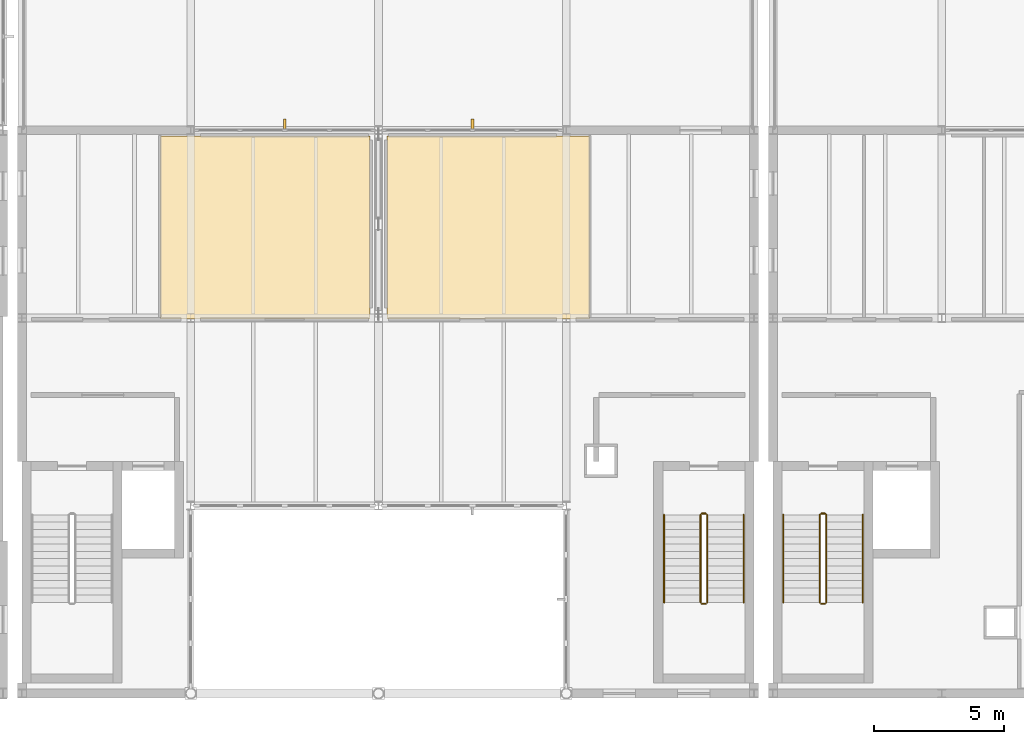
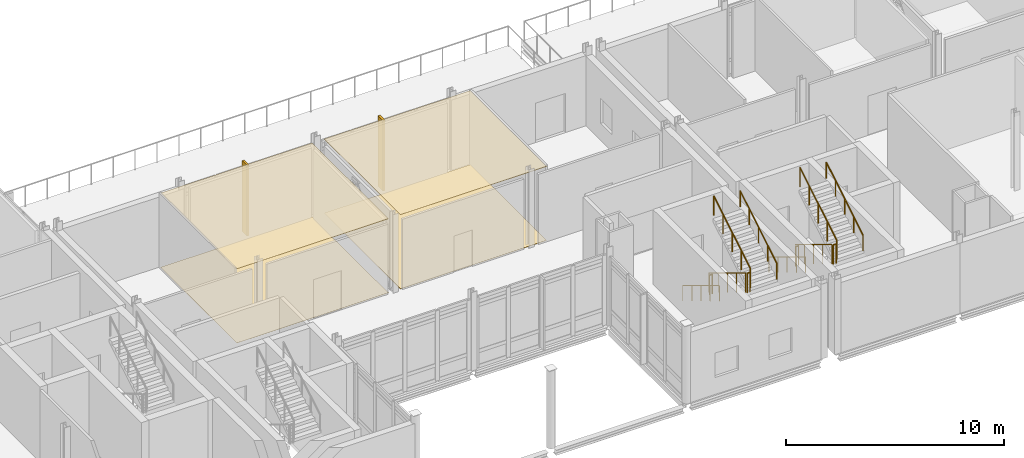
# One storey, part 47 of 53: 12 railings, 4 coverings, 2 shading devices.
"""IFC4 building model written with IfcOpenShell, lengths in metres."""

from ifc_helpers import new_model, si_unit, direction, frame, origin, origin_2d, place, context, subcontext, project, spatial, polyline, rectangle, circle, outline, extrude, material, layer, layer_set, type_object, element, save


model = new_model("IFC4")

# Units and contexts
model_context = context("Model", 3, precision=1e-05, world=origin(), true_north=direction((0.0, 1.0)))
body_context = subcontext(model_context, "Body", "Model", "MODEL_VIEW")
ifc_project = project(units=[si_unit("LENGTHUNIT", "METRE"), si_unit("AREAUNIT", "SQUARE_METRE"), si_unit("VOLUMEUNIT", "CUBIC_METRE"), si_unit("PLANEANGLEUNIT", "RADIAN"), si_unit("MASSUNIT", "GRAM", prefix="KILO")], contexts=[model_context])

# Site, building, storey
site_placement = place(None, origin())
site = spatial("IfcSite", under=ifc_project, at=site_placement, CompositionType="ELEMENT")
building_placement = place(site_placement, origin())
building = spatial("IfcBuilding", under=site, at=building_placement, Name="Zarrinpeak Specialist Clinic", CompositionType="ELEMENT")
storey_placement = place(building_placement, frame((0.0, 0.0, 14.0)))
storey = spatial("IfcBuildingStorey", under=building, at=storey_placement, Name="L03", CompositionType="ELEMENT", Elevation=14.0)

# Coverings
ifc_material_1 = material(Name="Hygienic Acoustic Mineral Fibre Tile")
ifc_layer_1 = layer(ifc_material_1, 0.02490234375)
ifc_layer_set_1 = layer_set([ifc_layer_1], Name="Hygienic Acoustic Mineral Fibre Tile")
covering_type_1 = type_object("IfcCoveringType", Name="CV-CEIL-AC", PredefinedType="CEILING", material=ifc_layer_set_1)
covering_1_placement = place(storey_placement, frame((0.0, 0.0, 4.14501953125)))
element("IfcCovering", 1, at=covering_1_placement, inside=storey, type_object=covering_type_1, Name="L03 Paediatric Growth Clinic Hygienic Acoustic Ceiling", PredefinedType="CEILING", context=body_context, shape_type="SweptSolid", body=[
    extrude(outline(polyline([(43.52001953125, 14.3701171875), (51.280029296875, 14.3701171875), (51.280029296875, 21.3798828125), (43.52001953125, 21.3798828125), (43.52001953125, 14.3701171875)])), origin(), (0.0, 0.0, 1.0), 0.02490234375),
])
covering_2_placement = place(storey_placement, frame((0.0, 0.0, 4.14501953125)))
element("IfcCovering", 2, at=covering_2_placement, inside=storey, type_object=covering_type_1, Name="L03 Paediatric Vaccination Room Hygienic Acoustic Ceiling", PredefinedType="CEILING", context=body_context, shape_type="SweptSolid", body=[
    extrude(outline(polyline([(34.840087890625, 14.3701171875), (42.8798828125, 14.3701171875), (42.8798828125, 21.3798828125), (34.840087890625, 21.3798828125), (34.840087890625, 14.3701171875)])), origin(), (0.0, 0.0, 1.0), 0.02490234375),
])
ifc_material_2 = material(Name="Homogeneous Antimicrobial Clinical Vinyl")
ifc_layer_2 = layer(ifc_material_2, 0.008056640625)
ifc_layer_set_2 = layer_set([ifc_layer_2], Name="Homogeneous Antimicrobial Clinical Vinyl")
covering_type_2 = type_object("IfcCoveringType", Name="CV-FLR-VN", PredefinedType="FLOORING", material=ifc_layer_set_2)
covering_3_placement = place(storey_placement, frame((0.0, 0.0, 0.0009765625)))
element("IfcCovering", 3, at=covering_3_placement, inside=storey, type_object=covering_type_2, Name="L03 Paediatric Growth Clinic Antimicrobial Vinyl Flooring", PredefinedType="FLOORING", context=body_context, shape_type="SweptSolid", body=[
    extrude(outline(polyline([(43.52001953125, 14.3701171875), (51.280029296875, 14.3701171875), (51.280029296875, 21.3798828125), (43.52001953125, 21.3798828125), (43.52001953125, 14.3701171875)])), origin(), (0.0, 0.0, 1.0), 0.008056640625),
])
covering_4_placement = place(storey_placement, frame((0.0, 0.0, 0.0009765625)))
element("IfcCovering", 4, at=covering_4_placement, inside=storey, type_object=covering_type_2, Name="L03 Paediatric Vaccination Room Antimicrobial Vinyl Flooring", PredefinedType="FLOORING", context=body_context, shape_type="SweptSolid", body=[
    extrude(outline(polyline([(34.840087890625, 14.3701171875), (42.8798828125, 14.3701171875), (42.8798828125, 21.3798828125), (34.840087890625, 21.3798828125), (34.840087890625, 14.3701171875)])), origin(), (0.0, 0.0, 1.0), 0.008056640625),
])

# Railings
ifc_material_3 = material(Name="Laminated Safety Glass and Stainless Steel 316", Category="steel")
ifc_layer_3 = layer(ifc_material_3, 0.06005859375)
ifc_layer_set_3 = layer_set([ifc_layer_3], Name="Laminated Safety Glass and Stainless Steel 316")
railing_type_1 = type_object("IfcRailingType", Name="RL-GRD115", PredefinedType="GUARDRAIL", material=ifc_layer_set_3)
railing_1_placement = place(storey_placement, frame((55.550048828125, 6.85009765625, 0.169189453125)))
element("IfcRailing", 5, at=railing_1_placement, inside=storey, type_object=railing_type_1, Name="L03 ST-04 stair guard 1", PredefinedType="GUARDRAIL", context=body_context, shape_type="SweptSolid", body=[
    extrude(circle(Radius=0.02392578125, at=origin_2d()), frame((0.0, 0.0, 1.076171875), z_axis=(0.0, -0.855836976705, 0.517245656632), x_axis=(1.0, 0.0, 0.0)), (0.0, 0.0, 1.0), 3.926025390625),
    extrude(circle(Radius=0.02099609375, at=origin_2d()), origin(), (0.0, 0.0, 1.0), 1.052001953125),
    extrude(circle(Radius=0.02099609375, at=origin_2d()), frame((0.0, -0.840087890625, 0.5078125)), (0.0, 0.0, 1.0), 1.052001953125),
    extrude(circle(Radius=0.02099609375, at=origin_2d()), frame((0.0, -1.68017578125, 1.015380859375)), (0.0, 0.0, 1.0), 1.052001953125),
    extrude(circle(Radius=0.02099609375, at=origin_2d()), frame((0.0, -2.52001953125, 1.52294921875)), (0.0, 0.0, 1.0), 1.052001953125),
    extrude(circle(Radius=0.02099609375, at=origin_2d()), frame((0.0, -3.360107421875, 2.03076171875)), (0.0, 0.0, 1.0), 1.052001953125),
])
railing_2_placement = place(storey_placement, frame((55.60009765625, 3.43994140625, 2.199951171875)))
element("IfcRailing", 6, at=railing_2_placement, inside=storey, type_object=railing_type_1, Name="L03 ST-04 stair guard 2", PredefinedType="GUARDRAIL", context=body_context, shape_type="SweptSolid", body=[
    extrude(circle(Radius=0.02392578125, at=origin_2d()), frame((0.0, 0.0, 1.076171875), z_axis=(1.0, 0.0, 0.0), x_axis=(0.0, 1.0, 0.0)), (0.0, 0.0, 1.0), 0.14990234375),
    extrude(circle(Radius=0.02099609375, at=origin_2d()), origin(), (0.0, 0.0, 1.0), 1.052001953125),
    extrude(circle(Radius=0.02099609375, at=origin_2d()), frame((0.14990234375, 0.0, 0.0)), (0.0, 0.0, 1.0), 1.052001953125),
])
railing_3_placement = place(storey_placement, frame((55.800048828125, 3.489990234375, 2.369140625)))
element("IfcRailing", 7, at=railing_3_placement, inside=storey, type_object=railing_type_1, Name="L03 ST-04 stair guard 3", PredefinedType="GUARDRAIL", context=body_context, shape_type="SweptSolid", body=[
    extrude(circle(Radius=0.02392578125, at=origin_2d()), frame((0.0, 0.0, 1.076171875), z_axis=(0.0, 0.855836976705, 0.517245656632), x_axis=(-1.0, 0.0, 0.0)), (0.0, 0.0, 1.0), 3.926025390625),
    extrude(circle(Radius=0.02099609375, at=origin_2d()), origin(), (0.0, 0.0, 1.0), 1.052001953125),
    extrude(circle(Radius=0.02099609375, at=origin_2d()), frame((0.0, 0.840087890625, 0.5078125)), (0.0, 0.0, 1.0), 1.052001953125),
    extrude(circle(Radius=0.02099609375, at=origin_2d()), frame((0.0, 1.68017578125, 1.015380859375)), (0.0, 0.0, 1.0), 1.052001953125),
    extrude(circle(Radius=0.02099609375, at=origin_2d()), frame((0.0, 2.52001953125, 1.52294921875)), (0.0, 0.0, 1.0), 1.052001953125),
    extrude(circle(Radius=0.02099609375, at=origin_2d()), frame((0.0, 3.360107421875, 2.03076171875)), (0.0, 0.0, 1.0), 1.052001953125),
])
railing_4_placement = place(storey_placement, frame((55.60009765625, 6.89990234375, 0.0)))
element("IfcRailing", 8, at=railing_4_placement, inside=storey, type_object=railing_type_1, Name="L03 ST-04 stair guard 4", PredefinedType="GUARDRAIL", context=body_context, shape_type="SweptSolid", body=[
    extrude(circle(Radius=0.02392578125, at=origin_2d()), frame((0.0, 0.0, 1.076171875), z_axis=(1.0, 0.0, 0.0), x_axis=(0.0, 1.0, 0.0)), (0.0, 0.0, 1.0), 0.14990234375),
    extrude(circle(Radius=0.02099609375, at=origin_2d()), origin(), (0.0, 0.0, 1.0), 1.052001953125),
    extrude(circle(Radius=0.02099609375, at=origin_2d()), frame((0.14990234375, 0.0, 0.0)), (0.0, 0.0, 1.0), 1.052001953125),
])
railing_5_placement = place(storey_placement, frame((60.1201171875, 6.85009765625, 0.169189453125)))
element("IfcRailing", 9, at=railing_5_placement, inside=storey, type_object=railing_type_1, Name="L03 ST-07 stair guard 1", PredefinedType="GUARDRAIL", context=body_context, shape_type="SweptSolid", body=[
    extrude(circle(Radius=0.02392578125, at=origin_2d()), frame((0.0, 0.0, 1.076171875), z_axis=(0.0, -0.855836976705, 0.517245656632), x_axis=(1.0, 0.0, 0.0)), (0.0, 0.0, 1.0), 3.926025390625),
    extrude(circle(Radius=0.02099609375, at=origin_2d()), origin(), (0.0, 0.0, 1.0), 1.052001953125),
    extrude(circle(Radius=0.02099609375, at=origin_2d()), frame((0.0, -0.840087890625, 0.5078125)), (0.0, 0.0, 1.0), 1.052001953125),
    extrude(circle(Radius=0.02099609375, at=origin_2d()), frame((0.0, -1.68017578125, 1.015380859375)), (0.0, 0.0, 1.0), 1.052001953125),
    extrude(circle(Radius=0.02099609375, at=origin_2d()), frame((0.0, -2.52001953125, 1.52294921875)), (0.0, 0.0, 1.0), 1.052001953125),
    extrude(circle(Radius=0.02099609375, at=origin_2d()), frame((0.0, -3.360107421875, 2.03076171875)), (0.0, 0.0, 1.0), 1.052001953125),
])
railing_6_placement = place(storey_placement, frame((60.169921875, 3.43994140625, 2.199951171875)))
element("IfcRailing", 10, at=railing_6_placement, inside=storey, type_object=railing_type_1, Name="L03 ST-07 stair guard 2", PredefinedType="GUARDRAIL", context=body_context, shape_type="SweptSolid", body=[
    extrude(circle(Radius=0.02392578125, at=origin_2d()), frame((0.0, 0.0, 1.076171875), z_axis=(1.0, 0.0, 0.0), x_axis=(0.0, 1.0, 0.0)), (0.0, 0.0, 1.0), 0.150146484375),
    extrude(circle(Radius=0.02099609375, at=origin_2d()), origin(), (0.0, 0.0, 1.0), 1.052001953125),
    extrude(circle(Radius=0.02099609375, at=origin_2d()), frame((0.150146484375, 0.0, 0.0)), (0.0, 0.0, 1.0), 1.052001953125),
])
railing_7_placement = place(storey_placement, frame((60.3701171875, 3.489990234375, 2.369140625)))
element("IfcRailing", 11, at=railing_7_placement, inside=storey, type_object=railing_type_1, Name="L03 ST-07 stair guard 3", PredefinedType="GUARDRAIL", context=body_context, shape_type="SweptSolid", body=[
    extrude(circle(Radius=0.02392578125, at=origin_2d()), frame((0.0, 0.0, 1.076171875), z_axis=(0.0, 0.855836976705, 0.517245656632), x_axis=(-1.0, 0.0, 0.0)), (0.0, 0.0, 1.0), 3.926025390625),
    extrude(circle(Radius=0.02099609375, at=origin_2d()), origin(), (0.0, 0.0, 1.0), 1.052001953125),
    extrude(circle(Radius=0.02099609375, at=origin_2d()), frame((0.0, 0.840087890625, 0.5078125)), (0.0, 0.0, 1.0), 1.052001953125),
    extrude(circle(Radius=0.02099609375, at=origin_2d()), frame((0.0, 1.68017578125, 1.015380859375)), (0.0, 0.0, 1.0), 1.052001953125),
    extrude(circle(Radius=0.02099609375, at=origin_2d()), frame((0.0, 2.52001953125, 1.52294921875)), (0.0, 0.0, 1.0), 1.052001953125),
    extrude(circle(Radius=0.02099609375, at=origin_2d()), frame((0.0, 3.360107421875, 2.03076171875)), (0.0, 0.0, 1.0), 1.052001953125),
])
railing_8_placement = place(storey_placement, frame((60.169921875, 6.89990234375, 0.0)))
element("IfcRailing", 12, at=railing_8_placement, inside=storey, type_object=railing_type_1, Name="L03 ST-07 stair guard 4", PredefinedType="GUARDRAIL", context=body_context, shape_type="SweptSolid", body=[
    extrude(circle(Radius=0.02392578125, at=origin_2d()), frame((0.0, 0.0, 1.076171875), z_axis=(1.0, 0.0, 0.0), x_axis=(0.0, 1.0, 0.0)), (0.0, 0.0, 1.0), 0.150146484375),
    extrude(circle(Radius=0.02099609375, at=origin_2d()), origin(), (0.0, 0.0, 1.0), 1.052001953125),
    extrude(circle(Radius=0.02099609375, at=origin_2d()), frame((0.150146484375, 0.0, 0.0)), (0.0, 0.0, 1.0), 1.052001953125),
])
ifc_material_4 = material(Name="Brushed Stainless Steel 316 Handrail", Category="steel")
ifc_layer_4 = layer(ifc_material_4, 0.050048828125)
ifc_layer_set_4 = layer_set([ifc_layer_4], Name="Brushed Stainless Steel 316 Handrail")
railing_type_2 = type_object("IfcRailingType", Name="RL-HND92", PredefinedType="HANDRAIL", material=ifc_layer_set_4)
railing_9_placement = place(storey_placement, frame((54.14990234375, 6.85009765625, 0.169189453125)))
element("IfcRailing", 13, at=railing_9_placement, inside=storey, type_object=railing_type_2, Name="L03 ST-04 stair handrail 1", PredefinedType="HANDRAIL", context=body_context, shape_type="SweptSolid", body=[
    extrude(circle(Radius=0.02392578125, at=origin_2d()), frame((0.0, 0.0, 0.8759765625), z_axis=(0.0, -0.855836976705, 0.517245656632), x_axis=(1.0, 0.0, 0.0)), (0.0, 0.0, 1.0), 3.926025390625),
    extrude(circle(Radius=0.02099609375, at=origin_2d()), origin(), (0.0, 0.0, 1.0), 0.851806640625),
    extrude(circle(Radius=0.02099609375, at=origin_2d()), frame((0.0, -0.840087890625, 0.5078125)), (0.0, 0.0, 1.0), 0.851806640625),
    extrude(circle(Radius=0.02099609375, at=origin_2d()), frame((0.0, -1.68017578125, 1.015380859375)), (0.0, 0.0, 1.0), 0.851806640625),
    extrude(circle(Radius=0.02099609375, at=origin_2d()), frame((0.0, -2.52001953125, 1.52294921875)), (0.0, 0.0, 1.0), 0.851806640625),
    extrude(circle(Radius=0.02099609375, at=origin_2d()), frame((0.0, -3.360107421875, 2.03076171875)), (0.0, 0.0, 1.0), 0.851806640625),
])
railing_10_placement = place(storey_placement, frame((57.199951171875, 3.489990234375, 2.369140625)))
element("IfcRailing", 14, at=railing_10_placement, inside=storey, type_object=railing_type_2, Name="L03 ST-04 stair handrail 2", PredefinedType="HANDRAIL", context=body_context, shape_type="SweptSolid", body=[
    extrude(circle(Radius=0.02392578125, at=origin_2d()), frame((0.0, 0.0, 0.8759765625), z_axis=(0.0, 0.855836976705, 0.517245656632), x_axis=(-1.0, 0.0, 0.0)), (0.0, 0.0, 1.0), 3.926025390625),
    extrude(circle(Radius=0.02099609375, at=origin_2d()), origin(), (0.0, 0.0, 1.0), 0.851806640625),
    extrude(circle(Radius=0.02099609375, at=origin_2d()), frame((0.0, 0.840087890625, 0.5078125)), (0.0, 0.0, 1.0), 0.851806640625),
    extrude(circle(Radius=0.02099609375, at=origin_2d()), frame((0.0, 1.68017578125, 1.015380859375)), (0.0, 0.0, 1.0), 0.851806640625),
    extrude(circle(Radius=0.02099609375, at=origin_2d()), frame((0.0, 2.52001953125, 1.52294921875)), (0.0, 0.0, 1.0), 0.851806640625),
    extrude(circle(Radius=0.02099609375, at=origin_2d()), frame((0.0, 3.360107421875, 2.03076171875)), (0.0, 0.0, 1.0), 0.851806640625),
])
railing_11_placement = place(storey_placement, frame((58.719970703125, 6.85009765625, 0.169189453125)))
element("IfcRailing", 15, at=railing_11_placement, inside=storey, type_object=railing_type_2, Name="L03 ST-07 stair handrail 1", PredefinedType="HANDRAIL", context=body_context, shape_type="SweptSolid", body=[
    extrude(circle(Radius=0.02392578125, at=origin_2d()), frame((0.0, 0.0, 0.8759765625), z_axis=(0.0, -0.855836976705, 0.517245656632), x_axis=(1.0, 0.0, 0.0)), (0.0, 0.0, 1.0), 3.926025390625),
    extrude(circle(Radius=0.02099609375, at=origin_2d()), origin(), (0.0, 0.0, 1.0), 0.851806640625),
    extrude(circle(Radius=0.02099609375, at=origin_2d()), frame((0.0, -0.840087890625, 0.5078125)), (0.0, 0.0, 1.0), 0.851806640625),
    extrude(circle(Radius=0.02099609375, at=origin_2d()), frame((0.0, -1.68017578125, 1.015380859375)), (0.0, 0.0, 1.0), 0.851806640625),
    extrude(circle(Radius=0.02099609375, at=origin_2d()), frame((0.0, -2.52001953125, 1.52294921875)), (0.0, 0.0, 1.0), 0.851806640625),
    extrude(circle(Radius=0.02099609375, at=origin_2d()), frame((0.0, -3.360107421875, 2.03076171875)), (0.0, 0.0, 1.0), 0.851806640625),
])
railing_12_placement = place(storey_placement, frame((61.77001953125, 3.489990234375, 2.369140625)))
element("IfcRailing", 16, at=railing_12_placement, inside=storey, type_object=railing_type_2, Name="L03 ST-07 stair handrail 2", PredefinedType="HANDRAIL", context=body_context, shape_type="SweptSolid", body=[
    extrude(circle(Radius=0.02392578125, at=origin_2d()), frame((0.0, 0.0, 0.8759765625), z_axis=(0.0, 0.855836976705, 0.517245656632), x_axis=(-1.0, 0.0, 0.0)), (0.0, 0.0, 1.0), 3.926025390625),
    extrude(circle(Radius=0.02099609375, at=origin_2d()), origin(), (0.0, 0.0, 1.0), 0.851806640625),
    extrude(circle(Radius=0.02099609375, at=origin_2d()), frame((0.0, 0.840087890625, 0.5078125)), (0.0, 0.0, 1.0), 0.851806640625),
    extrude(circle(Radius=0.02099609375, at=origin_2d()), frame((0.0, 1.68017578125, 1.015380859375)), (0.0, 0.0, 1.0), 0.851806640625),
    extrude(circle(Radius=0.02099609375, at=origin_2d()), frame((0.0, 2.52001953125, 1.52294921875)), (0.0, 0.0, 1.0), 0.851806640625),
    extrude(circle(Radius=0.02099609375, at=origin_2d()), frame((0.0, 3.360107421875, 2.03076171875)), (0.0, 0.0, 1.0), 0.851806640625),
])

# Shading devices
ifc_material_5 = material(Name="Glulam GL28h", Category="wood")
shading_device_type = type_object("IfcShadingDeviceType", Name="SHD-FIN-GL", PredefinedType="USERDEFINED", material=ifc_material_5)
for number, where, z_axis, x_axis, name in (
    (17, (39.60009765625, 21.800048828125, -0.01513671875), (0.0, 0.0, 1.0), (1.0, 0.0, 0.0), "L03 V2 Cedar-Glulam Courtyard Fin FIN-040"),
    (18, (46.800048828125, 21.800048828125, -0.01513671875), (0.0, 0.0, 1.0), (1.0, 0.0, 0.0), "L03 V2 Cedar-Glulam Courtyard Fin FIN-041"),
):
    element("IfcShadingDevice", number, at=place(storey_placement, frame(where, z_axis=z_axis, x_axis=x_axis)), inside=storey, type_object=shading_device_type, Name=name, ObjectType="SUNSHADE", PredefinedType="USERDEFINED", context=body_context, shape_type="SweptSolid", body=[
        extrude(rectangle(XDim=0.110107421875, YDim=0.449951171875, at=origin_2d()), origin(), (0.0, 0.0, 1.0), 3.965087890625),
    ])

save(model, "model.ifc")
